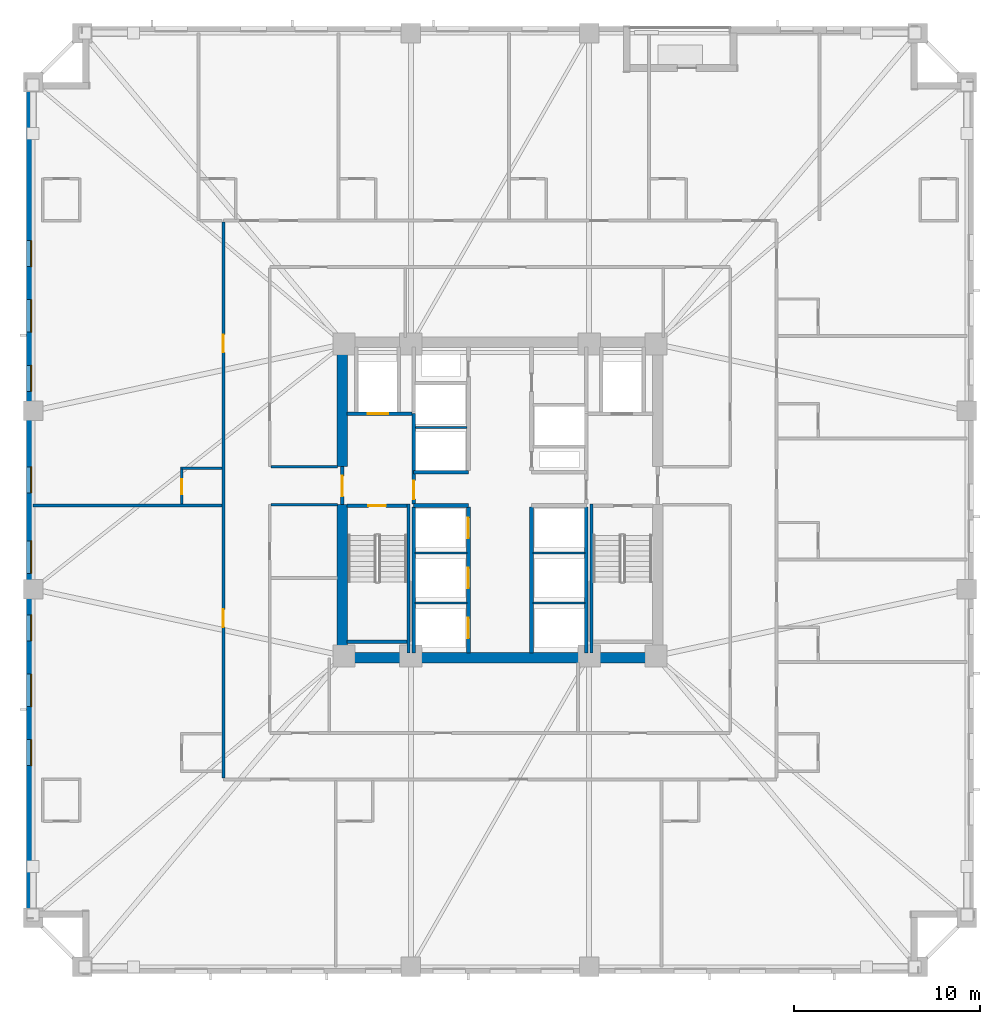
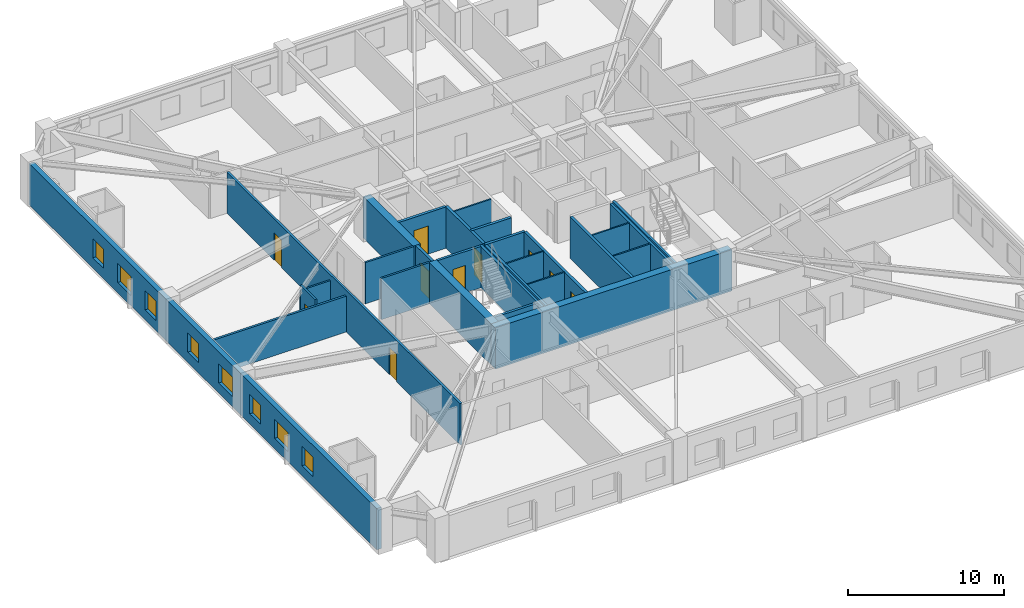
# One storey, part 3 of 11: 28 walls, 10 doors, 8 windows, 18 openings.
"""IFC4 building model written with IfcOpenShell, lengths in metres."""

from ifc_helpers import new_model, si_unit, direction, frame, frame_2d, origin, place, context, subcontext, project, spatial, rectangle, extrude, material, layer, layer_set, type_object, element, fill, save


model = new_model("IFC4")

# Units and contexts
model_context = context("Model", 3, precision=1e-05, world=origin(), true_north=direction((0.0, 1.0)))
body_context = subcontext(model_context, "Body", "Model", "MODEL_VIEW")
ifc_project = project(units=[si_unit("LENGTHUNIT", "METRE"), si_unit("AREAUNIT", "SQUARE_METRE"), si_unit("VOLUMEUNIT", "CUBIC_METRE"), si_unit("PLANEANGLEUNIT", "RADIAN"), si_unit("MASSUNIT", "GRAM", prefix="KILO")], contexts=[model_context])

# Site, building, storey
site_placement = place(None, origin())
site = spatial("IfcSite", under=ifc_project, at=site_placement, CompositionType="ELEMENT")
building_placement = place(site_placement, origin())
building = spatial("IfcBuilding", under=site, at=building_placement, Name="Cairnveth Concourse Tower", CompositionType="ELEMENT")
storey_placement = place(building_placement, frame((0.0, 0.0, 93.5)))
storey = spatial("IfcBuildingStorey", under=building, at=storey_placement, Name="L25", CompositionType="ELEMENT", Elevation=93.5)

# Wall, openings, doors
ifc_material_1 = material(Name="Gypsum Plasterboard Partition", Category="gypsum")
ifc_layer_1 = layer(ifc_material_1, 0.159912109375)
ifc_layer_set_1 = layer_set([ifc_layer_1], Name="Gypsum Plasterboard Partition")
wall_type_1 = type_object("IfcWallType", Name="ACOUSTIC PARTY WALL 180", PredefinedType="PARTITIONING", material=ifc_layer_set_1)
wall_1_placement = place(storey_placement, frame((37.10009765625, 24.014892578125, 0.0), z_axis=(0.0, 0.0, 1.0), x_axis=(0.0, 1.0, 0.0)))
wall_1 = element("IfcWall", 1, at=wall_1_placement, inside=storey, type_object=wall_type_1, Name="Interior Wall IW-L25-039", PredefinedType="PARTITIONING", context=body_context, shape_type="SweptSolid", body=[
    extrude(rectangle(XDim=29.97021484375, YDim=0.159912109375, at=frame_2d((14.985107421875, 0.0))), origin(), (0.0, 0.0, 1.0), 3.239990234375),
])
opening_1_placement = place(wall_1_placement, frame((8.1337890625, 0.0, 0.0)))
opening_1 = element("IfcOpeningElement", 2, at=opening_1_placement, cuts=wall_1, Name="Opening ID09", PredefinedType="OPENING", context=body_context, shape_type="SweptSolid", body=[
    extrude(rectangle(XDim=0.9599609375, YDim=2.14990234375, at=frame_2d((0.47998046875, 1.074951171875))), frame((0.0, 0.08984375, 0.0), z_axis=(0.0, -1.0, 0.0), x_axis=(1.0, 0.0, 0.0)), (0.0, 0.0, 1.0), 0.179931640625),
])
opening_2_placement = place(wall_1_placement, frame((22.933837890625, 0.0, 0.0)))
opening_2 = element("IfcOpeningElement", 3, at=opening_2_placement, cuts=wall_1, Name="Opening ID09", PredefinedType="OPENING", context=body_context, shape_type="SweptSolid", body=[
    extrude(rectangle(XDim=0.9599609375, YDim=2.14990234375, at=frame_2d((0.47998046875, 1.074951171875))), frame((0.0, 0.08984375, 0.0), z_axis=(0.0, -1.0, 0.0), x_axis=(1.0, 0.0, 0.0)), (0.0, 0.0, 1.0), 0.179931640625),
])
ifc_material_2 = material(Name="Solid Core Hardwood Timber Leaf", Category="wood")
door_type_1 = type_object("IfcDoorType", Name="HOTEL ENTRANCE DOOR 960X2150", OperationType="NOTDEFINED", PredefinedType="DOOR", material=ifc_material_2)
door_1_placement = place(opening_1_placement, origin())
door_1 = element("IfcDoor", 4, at=door_1_placement, inside=storey, type_object=door_type_1, Name="Hotel Room Door L25-W1", OperationType="SINGLE_SWING_LEFT", OverallHeight=2.14990234375, OverallWidth=0.9599609375, PredefinedType="DOOR", context=body_context, shape_type="SweptSolid", body=[
    extrude(rectangle(XDim=0.9599609375, YDim=2.14990234375, at=frame_2d((0.47998046875, 1.074951171875))), frame((0.0, 0.02490234375, 0.0), z_axis=(0.0, -1.0, 0.0), x_axis=(1.0, 0.0, 0.0)), (0.0, 0.0, 1.0), 0.050048828125),
])
fill(opening_1, door_1)
door_2_placement = place(opening_2_placement, origin())
door_2 = element("IfcDoor", 5, at=door_2_placement, inside=storey, type_object=door_type_1, Name="Hotel Room Door L25-W2", OperationType="SINGLE_SWING_LEFT", OverallHeight=2.14990234375, OverallWidth=0.9599609375, PredefinedType="DOOR", context=body_context, shape_type="SweptSolid", body=[
    extrude(rectangle(XDim=0.9599609375, YDim=2.14990234375, at=frame_2d((0.47998046875, 1.074951171875))), frame((0.0, 0.02490234375, 0.0), z_axis=(0.0, -1.0, 0.0), x_axis=(1.0, 0.0, 0.0)), (0.0, 0.0, 1.0), 0.050048828125),
])
fill(opening_2, door_2)

# Walls
wall_2_placement = place(storey_placement, frame((26.844970703125, 38.70751953125, 0.0), z_axis=(0.0, 0.0, 1.0), x_axis=(1.0, 0.0, 0.0)))
element("IfcWall", 6, at=wall_2_placement, inside=storey, type_object=wall_type_1, Name="Interior Wall IW-L25-091", PredefinedType="PARTITIONING", context=body_context, shape_type="SweptSolid", body=[
    extrude(rectangle(XDim=10.18994140625, YDim=0.159912109375, at=frame_2d((5.094970703125, 0.0))), origin(), (0.0, 0.0, 1.0), 2.80908203125),
])
ifc_material_3 = material(Name="Concrete N80 (80 MPa)", Category="concrete")
ifc_layer_2 = layer(ifc_material_3, 0.550048828125)
ifc_layer_set_2 = layer_set([ifc_layer_2], Name="Concrete N80 (80 MPa)")
wall_type_2 = type_object("IfcWallType", Name="CORE SHEAR WALL 550", PredefinedType="SHEAR", material=ifc_layer_set_2)
wall_3_placement = place(storey_placement, frame((43.22509765625, 30.5, 0.0), z_axis=(0.0, 0.0, 1.0), x_axis=(1.0, 0.0, 0.0)))
element("IfcWall", 7, at=wall_3_placement, inside=storey, type_object=wall_type_2, Name="Core South Shear Wall L25", PredefinedType="SHEAR", context=body_context, shape_type="SweptSolid", body=[
    extrude(rectangle(XDim=17.5498046875, YDim=0.550048828125, at=frame_2d((8.77490234375, 0.0))), origin(), (0.0, 0.0, 1.0), 3.239990234375),
])
wall_4_placement = place(storey_placement, frame((43.5, 30.764892578125, 0.0), z_axis=(0.0, 0.0, 1.0), x_axis=(0.0, 1.0, 0.0)))
element("IfcWall", 8, at=wall_4_placement, inside=storey, type_object=wall_type_2, Name="Core West Shear Wall S L25", PredefinedType="SHEAR", context=body_context, shape_type="SweptSolid", body=[
    extrude(rectangle(XDim=7.985107421875, YDim=0.550048828125, at=frame_2d((3.99267578125, 0.0))), origin(), (0.0, 0.0, 1.0), 3.239990234375),
])
wall_5_placement = place(storey_placement, frame((43.5, 40.800048828125, 0.0), z_axis=(0.0, 0.0, 1.0), x_axis=(0.0, 1.0, 0.0)))
element("IfcWall", 9, at=wall_5_placement, inside=storey, type_object=wall_type_2, Name="Core West Shear Wall N L25", PredefinedType="SHEAR", context=body_context, shape_type="SweptSolid", body=[
    extrude(rectangle(XDim=6.43505859375, YDim=0.550048828125, at=frame_2d((3.217529296875, 0.0))), origin(), (0.0, 0.0, 1.0), 3.239990234375),
])
ifc_material_4 = material(Name="Concrete N50 (50 MPa)", Category="concrete")
ifc_layer_3 = layer(ifc_material_4, 0.179931640625)
ifc_layer_set_3 = layer_set([ifc_layer_3], Name="Concrete N50 (50 MPa)")
wall_type_3 = type_object("IfcWallType", Name="FIRE SHAFT WALL 180", PredefinedType="SOLIDWALL", material=ifc_layer_set_3)
for number, where, z_axis, x_axis, name in (
    (10, (47.35009765625, 30.760009765625, 0.0), (0.0, 0.0, 1.0), (0.0, 1.0, 0.0), "Interior Wall IW-L25-025"),
    (11, (56.64990234375, 30.760009765625, 0.0), (0.0, 0.0, 1.0), (0.0, 1.0, 0.0), "Interior Wall IW-L25-028"),
):
    element("IfcWall", number, at=place(storey_placement, frame(where, z_axis=z_axis, x_axis=x_axis)), inside=storey, type_object=wall_type_3, Name=name, PredefinedType="SOLIDWALL", context=body_context, shape_type="SweptSolid", body=[
        extrude(rectangle(XDim=7.85498046875, YDim=0.179931640625, at=frame_2d((3.927490234375, 0.0))), origin(), (0.0, 0.0, 1.0), 3.239990234375),
    ])

# Wall, opening, door
wall_6_placement = place(storey_placement, frame((43.764892578125, 38.68994140625, 0.0), z_axis=(0.0, 0.0, 1.0), x_axis=(1.0, 0.0, 0.0)))
wall_6 = element("IfcWall", 12, at=wall_6_placement, inside=storey, type_object=wall_type_3, Name="Stair ST-1 Shaft Wall NEAR L25", PredefinedType="SOLIDWALL", context=body_context, shape_type="SweptSolid", body=[
    extrude(rectangle(XDim=3.230224609375, YDim=0.179931640625, at=frame_2d((1.615234375, 0.0))), origin(), (0.0, 0.0, 1.0), 3.239990234375),
])
opening_3_placement = place(wall_6_placement, frame((1.139892578125, 0.0, 0.0)))
opening_3 = element("IfcOpeningElement", 13, at=opening_3_placement, cuts=wall_6, Name="Opening ID12", PredefinedType="OPENING", context=body_context, shape_type="SweptSolid", body=[
    extrude(rectangle(XDim=0.949951171875, YDim=2.14990234375, at=frame_2d((0.47509765625, 1.074951171875))), frame((0.0, 0.099853515625, 0.0), z_axis=(0.0, -1.0, 0.0), x_axis=(1.0, 0.0, 0.0)), (0.0, 0.0, 1.0), 0.199951171875),
])
ifc_material_5 = material(Name="Steel Grade 350", Category="steel")
door_type_2 = type_object("IfcDoorType", Name="FIRE STAIR DOOR 950X2150", OperationType="NOTDEFINED", PredefinedType="DOOR", material=ifc_material_5)
door_3_placement = place(opening_3_placement, origin())
door_3 = element("IfcDoor", 14, at=door_3_placement, inside=storey, type_object=door_type_2, Name="Stair ST-1 Fire Door L25", OperationType="SINGLE_SWING_LEFT", OverallHeight=2.14990234375, OverallWidth=0.949951171875, PredefinedType="DOOR", context=body_context, shape_type="SweptSolid", body=[
    extrude(rectangle(XDim=0.949951171875, YDim=2.14990234375, at=frame_2d((0.47509765625, 1.074951171875))), frame((0.0, 0.02490234375, 0.0), z_axis=(0.0, -1.0, 0.0), x_axis=(1.0, 0.0, 0.0)), (0.0, 0.0, 1.0), 0.050048828125),
])
fill(opening_3, door_3)

# Walls
wall_7_placement = place(storey_placement, frame((43.764892578125, 31.360107421875, 0.0), z_axis=(0.0, 0.0, 1.0), x_axis=(1.0, 0.0, 0.0)))
element("IfcWall", 15, at=wall_7_placement, inside=storey, type_object=wall_type_3, Name="Stair ST-1 Shaft Wall FAR L25", PredefinedType="SOLIDWALL", context=body_context, shape_type="SweptSolid", body=[
    extrude(rectangle(XDim=3.230224609375, YDim=0.179931640625, at=frame_2d((1.615234375, 0.0))), origin(), (0.0, 0.0, 1.0), 3.239990234375),
])
for number, where, z_axis, x_axis, name in (
    (16, (47.070068359375, 38.780029296875, 0.0), (0.0, 0.0, 1.0), (0.0, -1.0, 0.0), "Stair ST-1 Shaft Wall RGHT L25"),
    (17, (56.929931640625, 38.780029296875, 0.0), (0.0, 0.0, 1.0), (0.0, -1.0, 0.0), "Stair ST-2 Shaft Wall LEFT L25"),
):
    element("IfcWall", number, at=place(storey_placement, frame(where, z_axis=z_axis, x_axis=x_axis)), inside=storey, type_object=wall_type_3, Name=name, PredefinedType="SOLIDWALL", context=body_context, shape_type="SweptSolid", body=[
        extrude(rectangle(XDim=8.01708984375, YDim=0.179931640625, at=frame_2d((4.008544921875, 0.0))), origin(), (0.0, 0.0, 1.0), 3.239990234375),
    ])
ifc_layer_4 = layer(ifc_material_4, 0.199951171875)
ifc_layer_set_4 = layer_set([ifc_layer_4], Name="Concrete N50 (50 MPa)")
wall_type_4 = type_object("IfcWallType", Name="FIRE SHAFT WALL 200", PredefinedType="SOLIDWALL", material=ifc_layer_set_4)
for number, where, z_axis, x_axis, name in (
    (18, (47.35009765625, 38.699951171875, 0.0), (0.0, 0.0, 1.0), (1.0, 0.0, 0.0), "Interior Wall IW-L25-007"),
    (19, (47.35009765625, 40.5, 0.0), (0.0, 0.0, 1.0), (1.0, 0.0, 0.0), "Interior Wall IW-L25-008"),
):
    element("IfcWall", number, at=place(storey_placement, frame(where, z_axis=z_axis, x_axis=x_axis)), inside=storey, type_object=wall_type_4, Name=name, PredefinedType="SOLIDWALL", context=body_context, shape_type="SweptSolid", body=[
        extrude(rectangle(XDim=2.949951171875, YDim=0.199951171875, at=frame_2d((1.47509765625, 0.0))), origin(), (0.0, 0.0, 1.0), 3.239990234375),
    ])

# Wall, openings, doors
wall_8_placement = place(storey_placement, frame((50.300048828125, 30.760009765625, 0.0), z_axis=(0.0, 0.0, 1.0), x_axis=(0.0, 1.0, 0.0)))
wall_8 = element("IfcWall", 20, at=wall_8_placement, inside=storey, type_object=wall_type_4, Name="Interior Wall IW-L25-011", PredefinedType="SOLIDWALL", context=body_context, shape_type="SweptSolid", body=[
    extrude(rectangle(XDim=7.85498046875, YDim=0.199951171875, at=frame_2d((3.927490234375, 0.0))), origin(), (0.0, 0.0, 1.0), 3.239990234375),
])
opening_4_placement = place(wall_8_placement, frame((0.7900390625, 0.0, 0.0)))
opening_4 = element("IfcOpeningElement", 21, at=opening_4_placement, cuts=wall_8, Name="Opening LD-1", PredefinedType="OPENING", context=body_context, shape_type="SweptSolid", body=[
    extrude(rectangle(XDim=1.10009765625, YDim=2.199951171875, at=frame_2d((0.550048828125, 1.10009765625))), frame((0.0, 0.10986328125, 0.0), z_axis=(0.0, -1.0, 0.0), x_axis=(1.0, 0.0, 0.0)), (0.0, 0.0, 1.0), 0.219970703125),
])
opening_5_placement = place(wall_8_placement, frame((3.489990234375, 0.0, 0.0)))
opening_5 = element("IfcOpeningElement", 22, at=opening_5_placement, cuts=wall_8, Name="Opening LD-1", PredefinedType="OPENING", context=body_context, shape_type="SweptSolid", body=[
    extrude(rectangle(XDim=1.10009765625, YDim=2.199951171875, at=frame_2d((0.550048828125, 1.10009765625))), frame((0.0, 0.10986328125, 0.0), z_axis=(0.0, -1.0, 0.0), x_axis=(1.0, 0.0, 0.0)), (0.0, 0.0, 1.0), 0.219970703125),
])
opening_6_placement = place(wall_8_placement, frame((6.18994140625, 0.0, 0.0)))
opening_6 = element("IfcOpeningElement", 23, at=opening_6_placement, cuts=wall_8, Name="Opening LD-1", PredefinedType="OPENING", context=body_context, shape_type="SweptSolid", body=[
    extrude(rectangle(XDim=1.10009765625, YDim=2.199951171875, at=frame_2d((0.550048828125, 1.10009765625))), frame((0.0, 0.10986328125, 0.0), z_axis=(0.0, -1.0, 0.0), x_axis=(1.0, 0.0, 0.0)), (0.0, 0.0, 1.0), 0.219970703125),
])
ifc_material_6 = material(Name="Architectural Bronze Anodised Aluminium 6063-T6", Category="aluminium")
door_type_3 = type_object("IfcDoorType", Name="LIFT LANDING DOOR 1100X2200", OperationType="SLIDING_TO_LEFT", PredefinedType="DOOR", material=ifc_material_6)
door_4_placement = place(opening_4_placement, origin())
door_4 = element("IfcDoor", 24, at=door_4_placement, inside=storey, type_object=door_type_3, Name="Lift PL1 Landing Door L25", OperationType="SLIDING_TO_LEFT", OverallHeight=2.199951171875, OverallWidth=1.10009765625, PredefinedType="DOOR", context=body_context, shape_type="SweptSolid", body=[
    extrude(rectangle(XDim=1.10009765625, YDim=2.199951171875, at=frame_2d((0.550048828125, 1.10009765625))), frame((0.0, 0.02490234375, 0.0), z_axis=(0.0, -1.0, 0.0), x_axis=(1.0, 0.0, 0.0)), (0.0, 0.0, 1.0), 0.050048828125),
])
fill(opening_4, door_4)
door_5_placement = place(opening_5_placement, origin())
door_5 = element("IfcDoor", 25, at=door_5_placement, inside=storey, type_object=door_type_3, Name="Lift PL2 Landing Door L25", OperationType="SLIDING_TO_LEFT", OverallHeight=2.199951171875, OverallWidth=1.10009765625, PredefinedType="DOOR", context=body_context, shape_type="SweptSolid", body=[
    extrude(rectangle(XDim=1.10009765625, YDim=2.199951171875, at=frame_2d((0.550048828125, 1.10009765625))), frame((0.0, 0.02490234375, 0.0), z_axis=(0.0, -1.0, 0.0), x_axis=(1.0, 0.0, 0.0)), (0.0, 0.0, 1.0), 0.050048828125),
])
fill(opening_5, door_5)
door_6_placement = place(opening_6_placement, origin())
door_6 = element("IfcDoor", 26, at=door_6_placement, inside=storey, type_object=door_type_3, Name="Lift PL3 Landing Door L25", OperationType="SLIDING_TO_LEFT", OverallHeight=2.199951171875, OverallWidth=1.10009765625, PredefinedType="DOOR", context=body_context, shape_type="SweptSolid", body=[
    extrude(rectangle(XDim=1.10009765625, YDim=2.199951171875, at=frame_2d((0.550048828125, 1.10009765625))), frame((0.0, 0.02490234375, 0.0), z_axis=(0.0, -1.0, 0.0), x_axis=(1.0, 0.0, 0.0)), (0.0, 0.0, 1.0), 0.050048828125),
])
fill(opening_6, door_6)

# Wall
wall_9_placement = place(storey_placement, frame((53.699951171875, 30.760009765625, 0.0), z_axis=(0.0, 0.0, 1.0), x_axis=(0.0, 1.0, 0.0)))
element("IfcWall", 27, at=wall_9_placement, inside=storey, type_object=wall_type_4, Name="Interior Wall IW-L25-012", PredefinedType="SOLIDWALL", context=body_context, shape_type="SweptSolid", body=[
    extrude(rectangle(XDim=7.85498046875, YDim=0.199951171875, at=frame_2d((3.927490234375, 0.0))), origin(), (0.0, 0.0, 1.0), 3.239990234375),
])

# Wall, opening, door
wall_10_placement = place(storey_placement, frame((43.5, 38.75, 0.0), z_axis=(0.0, 0.0, 1.0), x_axis=(0.0, 1.0, 0.0)))
wall_10 = element("IfcWall", 28, at=wall_10_placement, inside=storey, type_object=wall_type_4, Name="Interior Wall IW-L25-015", PredefinedType="SOLIDWALL", context=body_context, shape_type="SweptSolid", body=[
    extrude(rectangle(XDim=2.050048828125, YDim=0.199951171875, at=frame_2d((1.02490234375, 0.0))), origin(), (0.0, 0.0, 1.0), 3.239990234375),
])
opening_7_placement = place(wall_10_placement, frame((0.449951171875, 0.0, 0.0)))
opening_7 = element("IfcOpeningElement", 29, at=opening_7_placement, cuts=wall_10, Name="Opening ID06", PredefinedType="OPENING", context=body_context, shape_type="SweptSolid", body=[
    extrude(rectangle(XDim=1.10009765625, YDim=2.14990234375, at=frame_2d((0.550048828125, 1.074951171875))), frame((0.0, 0.10986328125, 0.0), z_axis=(0.0, -1.0, 0.0), x_axis=(1.0, 0.0, 0.0)), (0.0, 0.0, 1.0), 0.219970703125),
])
door_type_4 = type_object("IfcDoorType", Name="FIRE CORRIDOR DOOR 1100X2150", OperationType="NOTDEFINED", PredefinedType="DOOR", material=ifc_material_5)
door_7_placement = place(opening_7_placement, origin())
door_7 = element("IfcDoor", 30, at=door_7_placement, inside=storey, type_object=door_type_4, Name="West Wing to FF Lobby Door L25", OperationType="SINGLE_SWING_LEFT", OverallHeight=2.14990234375, OverallWidth=1.10009765625, PredefinedType="DOOR", context=body_context, shape_type="SweptSolid", body=[
    extrude(rectangle(XDim=1.10009765625, YDim=2.14990234375, at=frame_2d((0.550048828125, 1.074951171875))), frame((0.0, 0.02490234375, 0.0), z_axis=(0.0, -1.0, 0.0), x_axis=(1.0, 0.0, 0.0)), (0.0, 0.0, 1.0), 0.050048828125),
])
fill(opening_7, door_7)

wall_11_placement = place(storey_placement, frame((47.35009765625, 38.784912109375, 0.0), z_axis=(0.0, 0.0, 1.0), x_axis=(0.0, 1.0, 0.0)))
wall_11 = element("IfcWall", 31, at=wall_11_placement, inside=storey, type_object=wall_type_4, Name="Interior Wall IW-L25-016", PredefinedType="SOLIDWALL", context=body_context, shape_type="SweptSolid", body=[
    extrude(rectangle(XDim=4.864990234375, YDim=0.199951171875, at=frame_2d((2.4326171875, 0.0))), origin(), (0.0, 0.0, 1.0), 3.239990234375),
])
opening_8_placement = place(wall_11_placement, frame((0.264892578125, 0.0, 0.0)))
opening_8 = element("IfcOpeningElement", 32, at=opening_8_placement, cuts=wall_11, Name="Opening ID07", PredefinedType="OPENING", context=body_context, shape_type="SweptSolid", body=[
    extrude(rectangle(XDim=1.0, YDim=2.14990234375, at=frame_2d((0.5, 1.074951171875))), frame((0.0, 0.10986328125, 0.0), z_axis=(0.0, -1.0, 0.0), x_axis=(1.0, 0.0, 0.0)), (0.0, 0.0, 1.0), 0.219970703125),
])
door_type_5 = type_object("IfcDoorType", Name="FIRE CORRIDOR DOOR 1000X2150", OperationType="NOTDEFINED", PredefinedType="DOOR", material=ifc_material_5)
door_8_placement = place(opening_8_placement, origin())
door_8 = element("IfcDoor", 33, at=door_8_placement, inside=storey, type_object=door_type_5, Name="FF Lobby West to Lift Lobby Door L25", OperationType="SINGLE_SWING_RIGHT", OverallHeight=2.14990234375, OverallWidth=1.0, PredefinedType="DOOR", context=body_context, shape_type="SweptSolid", body=[
    extrude(rectangle(XDim=1.0, YDim=2.14990234375, at=frame_2d((0.5, 1.074951171875))), frame((0.0, 0.02490234375, 0.0), z_axis=(0.0, -1.0, 0.0), x_axis=(1.0, 0.0, 0.0)), (0.0, 0.0, 1.0), 0.050048828125),
])
fill(opening_8, door_8)

wall_12_placement = place(storey_placement, frame((43.760009765625, 43.64990234375, 0.0), z_axis=(0.0, 0.0, 1.0), x_axis=(1.0, 0.0, 0.0)))
wall_12 = element("IfcWall", 34, at=wall_12_placement, inside=storey, type_object=wall_type_4, Name="Interior Wall IW-L25-017", PredefinedType="SOLIDWALL", context=body_context, shape_type="SweptSolid", body=[
    extrude(rectangle(XDim=3.5048828125, YDim=0.199951171875, at=frame_2d((1.75244140625, 0.0))), origin(), (0.0, 0.0, 1.0), 3.239990234375),
])
opening_9_placement = place(wall_12_placement, frame((1.110107421875, 0.0, 0.0)))
opening_9 = element("IfcOpeningElement", 35, at=opening_9_placement, cuts=wall_12, Name="Opening LD-1", PredefinedType="OPENING", context=body_context, shape_type="SweptSolid", body=[
    extrude(rectangle(XDim=1.10009765625, YDim=2.199951171875, at=frame_2d((0.550048828125, 1.10009765625))), frame((0.0, 0.10986328125, 0.0), z_axis=(0.0, -1.0, 0.0), x_axis=(1.0, 0.0, 0.0)), (0.0, 0.0, 1.0), 0.219970703125),
])
door_9_placement = place(opening_9_placement, origin())
door_9 = element("IfcDoor", 36, at=door_9_placement, inside=storey, type_object=door_type_3, Name="Lift FFL1 Landing Door L25", OperationType="SLIDING_TO_LEFT", OverallHeight=2.199951171875, OverallWidth=1.10009765625, PredefinedType="DOOR", context=body_context, shape_type="SweptSolid", body=[
    extrude(rectangle(XDim=1.10009765625, YDim=2.199951171875, at=frame_2d((0.550048828125, 1.10009765625))), frame((0.0, 0.02490234375, 0.0), z_axis=(0.0, -1.0, 0.0), x_axis=(1.0, 0.0, 0.0)), (0.0, 0.0, 1.0), 0.050048828125),
])
fill(opening_9, door_9)

# Walls
ifc_layer_5 = layer(ifc_material_1, 0.139892578125)
ifc_layer_set_5 = layer_set([ifc_layer_5], Name="Gypsum Plasterboard Partition")
wall_type_5 = type_object("IfcWallType", Name="GYPSUM STUD PARTITION 140", PredefinedType="PARTITIONING", material=ifc_layer_set_5)
for number, where, z_axis, x_axis, name in (
    (37, (39.655029296875, 38.75, 0.0), (0.0, 0.0, 1.0), (1.0, 0.0, 0.0), "Interior Wall IW-L25-045"),
    (38, (39.655029296875, 40.800048828125, 0.0), (0.0, 0.0, 1.0), (1.0, 0.0, 0.0), "Interior Wall IW-L25-046"),
):
    element("IfcWall", number, at=place(storey_placement, frame(where, z_axis=z_axis, x_axis=x_axis)), inside=storey, type_object=wall_type_5, Name=name, PredefinedType="PARTITIONING", context=body_context, shape_type="SweptSolid", body=[
        extrude(rectangle(XDim=3.5849609375, YDim=0.139892578125, at=frame_2d((1.79248046875, 0.0))), origin(), (0.0, 0.0, 1.0), 3.239990234375),
    ])
ifc_layer_6 = layer(ifc_material_1, 0.110107421875)
ifc_layer_set_6 = layer_set([ifc_layer_6], Name="Gypsum Plasterboard Partition")
wall_type_6 = type_object("IfcWallType", Name="SHAFT DIVIDER WALL 140", PredefinedType="PARTITIONING", material=ifc_layer_set_6)
for number, where, z_axis, x_axis, name in (
    (39, (47.425048828125, 33.449951171875, 0.0), (0.0, 0.0, 1.0), (1.0, 0.0, 0.0), "Interior Wall IW-L25-026"),
    (40, (47.425048828125, 36.14990234375, 0.0), (0.0, 0.0, 1.0), (1.0, 0.0, 0.0), "Interior Wall IW-L25-027"),
    (41, (53.784912109375, 33.449951171875, 0.0), (0.0, 0.0, 1.0), (1.0, 0.0, 0.0), "Interior Wall IW-L25-029"),
    (42, (53.784912109375, 36.14990234375, 0.0), (0.0, 0.0, 1.0), (1.0, 0.0, 0.0), "Interior Wall IW-L25-030"),
):
    element("IfcWall", number, at=place(storey_placement, frame(where, z_axis=z_axis, x_axis=x_axis)), inside=storey, type_object=wall_type_6, Name=name, PredefinedType="PARTITIONING", context=body_context, shape_type="SweptSolid", body=[
        extrude(rectangle(XDim=2.7900390625, YDim=0.110107421875, at=frame_2d((1.39501953125, 0.0))), origin(), (0.0, 0.0, 1.0), 3.239990234375),
    ])
wall_13_placement = place(storey_placement, frame((47.43505859375, 42.89990234375, 0.0), z_axis=(0.0, 0.0, 1.0), x_axis=(1.0, 0.0, 0.0)))
element("IfcWall", 43, at=wall_13_placement, inside=storey, type_object=wall_type_6, Name="Interior Wall IW-L25-032", PredefinedType="PARTITIONING", context=body_context, shape_type="SweptSolid", body=[
    extrude(rectangle(XDim=2.780029296875, YDim=0.110107421875, at=frame_2d((1.39013671875, 0.0))), origin(), (0.0, 0.0, 1.0), 3.239990234375),
])
ifc_layer_7 = layer(ifc_material_1, 0.1298828125)
ifc_layer_set_7 = layer_set([ifc_layer_7], Name="Gypsum Plasterboard Partition")
wall_type_7 = type_object("IfcWallType", Name="WET AREA PARTITION 140", PredefinedType="PLUMBINGWALL", material=ifc_layer_set_7)
wall_14_placement = place(storey_placement, frame((34.800048828125, 40.70751953125, 0.0), z_axis=(0.0, 0.0, 1.0), x_axis=(1.0, 0.0, 0.0)))
element("IfcWall", 44, at=wall_14_placement, inside=storey, type_object=wall_type_7, Name="Interior Wall IW-L25-092", PredefinedType="PLUMBINGWALL", context=body_context, shape_type="SweptSolid", body=[
    extrude(rectangle(XDim=2.23486328125, YDim=0.1298828125, at=frame_2d((1.117431640625, 0.0))), origin(), (0.0, 0.0, 1.0), 2.80908203125),
])

# Wall, opening, door
wall_15_placement = place(storey_placement, frame((34.85009765625, 38.7724609375, 0.0), z_axis=(0.0, 0.0, 1.0), x_axis=(0.0, 1.0, 0.0)))
wall_15 = element("IfcWall", 45, at=wall_15_placement, inside=storey, type_object=wall_type_7, Name="Interior Wall IW-L25-093", PredefinedType="PLUMBINGWALL", context=body_context, shape_type="SweptSolid", body=[
    extrude(rectangle(XDim=1.885009765625, YDim=0.1298828125, at=frame_2d((0.9423828125, 0.0))), origin(), (0.0, 0.0, 1.0), 3.239990234375),
])
opening_10_placement = place(wall_15_placement, frame((0.52490234375, 0.0, 0.0)))
opening_10 = element("IfcOpeningElement", 46, at=opening_10_placement, cuts=wall_15, Name="Opening ID22", PredefinedType="OPENING", context=body_context, shape_type="SweptSolid", body=[
    extrude(rectangle(XDim=0.820068359375, YDim=2.10009765625, at=frame_2d((0.41015625, 1.050048828125))), frame((0.0, 0.074951171875, 0.0), z_axis=(0.0, -1.0, 0.0), x_axis=(1.0, 0.0, 0.0)), (0.0, 0.0, 1.0), 0.14990234375),
])
door_type_6 = type_object("IfcDoorType", Name="INTERIOR WC DOOR 820X2100", OperationType="NOTDEFINED", PredefinedType="DOOR", material=ifc_material_2)
door_10_placement = place(opening_10_placement, origin())
door_10 = element("IfcDoor", 47, at=door_10_placement, inside=storey, type_object=door_type_6, Name="En-Suite Door L25-W2", OperationType="SINGLE_SWING_RIGHT", OverallHeight=2.10009765625, OverallWidth=0.820068359375, PredefinedType="DOOR", context=body_context, shape_type="SweptSolid", body=[
    extrude(rectangle(XDim=0.820068359375, YDim=2.10009765625, at=frame_2d((0.41015625, 1.050048828125))), frame((0.0, 0.02490234375, 0.0), z_axis=(0.0, -1.0, 0.0), x_axis=(1.0, 0.0, 0.0)), (0.0, 0.0, 1.0), 0.050048828125),
])
fill(opening_10, door_10)

# Wall, openings, windows
ifc_material_7 = material(Name="Hawthorn Red-Ochre Fired Clay Brick Masonry", Category="masonry")
ifc_layer_8 = layer(ifc_material_7, 0.360107421875)
ifc_layer_set_8 = layer_set([ifc_layer_8], Name="Hawthorn Red-Ochre Fired Clay Brick Masonry")
wall_type_8 = type_object("IfcWallType", Name="ZONE 1 BRICK PIER SPANDREL WALL 360", PredefinedType="SOLIDWALL", material=ifc_layer_set_8)
wall_16_placement = place(storey_placement, frame((26.679931640625, 16.5, 0.0), z_axis=(0.0, 0.0, 1.0), x_axis=(0.0, 1.0, 0.0)))
wall_16 = element("IfcWall", 48, at=wall_16_placement, inside=storey, type_object=wall_type_8, Name="Exterior Wall EW-L25-S09", PredefinedType="SOLIDWALL", context=body_context, shape_type="SweptSolid", body=[
    extrude(rectangle(XDim=44.662109375, YDim=0.360107421875, at=frame_2d((22.3310546875, 0.0))), origin(), (0.0, 0.0, 1.0), 3.239990234375),
])
opening_11_placement = place(wall_16_placement, frame((8.190185546875, 0.0, 0.800048828125)))
opening_11 = element("IfcOpeningElement", 49, at=opening_11_placement, cuts=wall_16, Name="Opening W05", PredefinedType="OPENING", context=body_context, shape_type="SweptSolid", body=[
    extrude(rectangle(XDim=1.39990234375, YDim=1.50390625, at=frame_2d((0.699951171875, 0.751953125))), frame((0.0, 0.18994140625, 0.0), z_axis=(0.0, -1.0, 0.0), x_axis=(1.0, 0.0, 0.0)), (0.0, 0.0, 1.0), 0.380126953125),
])
opening_12_placement = place(wall_16_placement, frame((11.37548828125, 0.0, 0.800048828125)))
opening_12 = element("IfcOpeningElement", 50, at=opening_12_placement, cuts=wall_16, Name="Opening W06", PredefinedType="OPENING", context=body_context, shape_type="SweptSolid", body=[
    extrude(rectangle(XDim=1.75, YDim=1.50390625, at=frame_2d((0.875, 0.751953125))), frame((0.0, 0.18994140625, 0.0), z_axis=(0.0, -1.0, 0.0), x_axis=(1.0, 0.0, 0.0)), (0.0, 0.0, 1.0), 0.380126953125),
])
opening_13_placement = place(wall_16_placement, frame((14.91064453125, 0.0, 0.800048828125)))
opening_13 = element("IfcOpeningElement", 51, at=opening_13_placement, cuts=wall_16, Name="Opening W05", PredefinedType="OPENING", context=body_context, shape_type="SweptSolid", body=[
    extrude(rectangle(XDim=1.39990234375, YDim=1.50390625, at=frame_2d((0.699951171875, 0.751953125))), frame((0.0, 0.18994140625, 0.0), z_axis=(0.0, -1.0, 0.0), x_axis=(1.0, 0.0, 0.0)), (0.0, 0.0, 1.0), 0.380126953125),
])
opening_14_placement = place(wall_16_placement, frame((18.5458984375, 0.0, 0.800048828125)))
opening_14 = element("IfcOpeningElement", 52, at=opening_14_placement, cuts=wall_16, Name="Opening W06", PredefinedType="OPENING", context=body_context, shape_type="SweptSolid", body=[
    extrude(rectangle(XDim=1.75, YDim=1.50390625, at=frame_2d((0.875, 0.751953125))), frame((0.0, 0.18994140625, 0.0), z_axis=(0.0, -1.0, 0.0), x_axis=(1.0, 0.0, 0.0)), (0.0, 0.0, 1.0), 0.380126953125),
])
opening_15_placement = place(wall_16_placement, frame((22.881103515625, 0.0, 0.800048828125)))
opening_15 = element("IfcOpeningElement", 53, at=opening_15_placement, cuts=wall_16, Name="Opening W05", PredefinedType="OPENING", context=body_context, shape_type="SweptSolid", body=[
    extrude(rectangle(XDim=1.39990234375, YDim=1.50390625, at=frame_2d((0.699951171875, 0.751953125))), frame((0.0, 0.18994140625, 0.0), z_axis=(0.0, -1.0, 0.0), x_axis=(1.0, 0.0, 0.0)), (0.0, 0.0, 1.0), 0.380126953125),
])
opening_16_placement = place(wall_16_placement, frame((28.351318359375, 0.0, 0.800048828125)))
opening_16 = element("IfcOpeningElement", 54, at=opening_16_placement, cuts=wall_16, Name="Opening W05", PredefinedType="OPENING", context=body_context, shape_type="SweptSolid", body=[
    extrude(rectangle(XDim=1.39990234375, YDim=1.50390625, at=frame_2d((0.699951171875, 0.751953125))), frame((0.0, 0.18994140625, 0.0), z_axis=(0.0, -1.0, 0.0), x_axis=(1.0, 0.0, 0.0)), (0.0, 0.0, 1.0), 0.380126953125),
])
opening_17_placement = place(wall_16_placement, frame((31.53662109375, 0.0, 0.800048828125)))
opening_17 = element("IfcOpeningElement", 55, at=opening_17_placement, cuts=wall_16, Name="Opening W06", PredefinedType="OPENING", context=body_context, shape_type="SweptSolid", body=[
    extrude(rectangle(XDim=1.75, YDim=1.50390625, at=frame_2d((0.875, 0.751953125))), frame((0.0, 0.18994140625, 0.0), z_axis=(0.0, -1.0, 0.0), x_axis=(1.0, 0.0, 0.0)), (0.0, 0.0, 1.0), 0.380126953125),
])
opening_18_placement = place(wall_16_placement, frame((35.07177734375, 0.0, 0.800048828125)))
opening_18 = element("IfcOpeningElement", 56, at=opening_18_placement, cuts=wall_16, Name="Opening W05", PredefinedType="OPENING", context=body_context, shape_type="SweptSolid", body=[
    extrude(rectangle(XDim=1.39990234375, YDim=1.50390625, at=frame_2d((0.699951171875, 0.751953125))), frame((0.0, 0.18994140625, 0.0), z_axis=(0.0, -1.0, 0.0), x_axis=(1.0, 0.0, 0.0)), (0.0, 0.0, 1.0), 0.380126953125),
])
ifc_material_8 = material(Name="Double Glazed Low-E Clear Glass", Category="glass")
window_type_1 = type_object("IfcWindowType", Name="DEEP-SET HOTEL CASEMENT WINDOW 1400X1750", PartitioningType="DOUBLE_PANEL_VERTICAL", PredefinedType="WINDOW", material=ifc_material_8)
window_1_placement = place(opening_11_placement, origin())
window_1 = element("IfcWindow", 57, at=window_1_placement, inside=storey, type_object=window_type_1, Name="Gothic Lancet Window L25-9-2", OverallHeight=1.50390625, OverallWidth=1.39990234375, PartitioningType="SINGLE_PANEL", PredefinedType="WINDOW", context=body_context, shape_type="SweptSolid", body=[
    extrude(rectangle(XDim=1.39990234375, YDim=1.50390625, at=frame_2d((0.699951171875, 0.751953125))), frame((0.0, -0.050048828125, 0.0), z_axis=(0.0, -1.0, 0.0), x_axis=(1.0, 0.0, 0.0)), (0.0, 0.0, 1.0), 0.06005859375),
])
fill(opening_11, window_1)
window_2_placement = place(opening_13_placement, origin())
window_2 = element("IfcWindow", 58, at=window_2_placement, inside=storey, type_object=window_type_1, Name="Gothic Lancet Window L25-9-4", OverallHeight=1.50390625, OverallWidth=1.39990234375, PartitioningType="SINGLE_PANEL", PredefinedType="WINDOW", context=body_context, shape_type="SweptSolid", body=[
    extrude(rectangle(XDim=1.39990234375, YDim=1.50390625, at=frame_2d((0.699951171875, 0.751953125))), frame((0.0, -0.050048828125, 0.0), z_axis=(0.0, -1.0, 0.0), x_axis=(1.0, 0.0, 0.0)), (0.0, 0.0, 1.0), 0.06005859375),
])
fill(opening_13, window_2)
window_3_placement = place(opening_15_placement, origin())
window_3 = element("IfcWindow", 59, at=window_3_placement, inside=storey, type_object=window_type_1, Name="Gothic Lancet Window L25-9-6", OverallHeight=1.50390625, OverallWidth=1.39990234375, PartitioningType="SINGLE_PANEL", PredefinedType="WINDOW", context=body_context, shape_type="SweptSolid", body=[
    extrude(rectangle(XDim=1.39990234375, YDim=1.50390625, at=frame_2d((0.699951171875, 0.751953125))), frame((0.0, -0.050048828125, 0.0), z_axis=(0.0, -1.0, 0.0), x_axis=(1.0, 0.0, 0.0)), (0.0, 0.0, 1.0), 0.06005859375),
])
fill(opening_15, window_3)
window_4_placement = place(opening_16_placement, origin())
window_4 = element("IfcWindow", 60, at=window_4_placement, inside=storey, type_object=window_type_1, Name="Gothic Lancet Window L25-9-8", OverallHeight=1.50390625, OverallWidth=1.39990234375, PartitioningType="SINGLE_PANEL", PredefinedType="WINDOW", context=body_context, shape_type="SweptSolid", body=[
    extrude(rectangle(XDim=1.39990234375, YDim=1.50390625, at=frame_2d((0.699951171875, 0.751953125))), frame((0.0, -0.050048828125, 0.0), z_axis=(0.0, -1.0, 0.0), x_axis=(1.0, 0.0, 0.0)), (0.0, 0.0, 1.0), 0.06005859375),
])
fill(opening_16, window_4)
window_5_placement = place(opening_18_placement, origin())
window_5 = element("IfcWindow", 61, at=window_5_placement, inside=storey, type_object=window_type_1, Name="Gothic Lancet Window L25-9-10", OverallHeight=1.50390625, OverallWidth=1.39990234375, PartitioningType="SINGLE_PANEL", PredefinedType="WINDOW", context=body_context, shape_type="SweptSolid", body=[
    extrude(rectangle(XDim=1.39990234375, YDim=1.50390625, at=frame_2d((0.699951171875, 0.751953125))), frame((0.0, -0.050048828125, 0.0), z_axis=(0.0, -1.0, 0.0), x_axis=(1.0, 0.0, 0.0)), (0.0, 0.0, 1.0), 0.06005859375),
])
fill(opening_18, window_5)
window_type_2 = type_object("IfcWindowType", Name="DEEP-SET HOTEL SUITE WINDOW 1750X1800", PartitioningType="DOUBLE_PANEL_VERTICAL", PredefinedType="WINDOW", material=ifc_material_8)
window_6_placement = place(opening_12_placement, origin())
window_6 = element("IfcWindow", 62, at=window_6_placement, inside=storey, type_object=window_type_2, Name="Gothic Lancet Window L25-9-3", OverallHeight=1.50390625, OverallWidth=1.75, PartitioningType="SINGLE_PANEL", PredefinedType="WINDOW", context=body_context, shape_type="SweptSolid", body=[
    extrude(rectangle(XDim=1.75, YDim=1.50390625, at=frame_2d((0.875, 0.751953125))), frame((0.0, -0.050048828125, 0.0), z_axis=(0.0, -1.0, 0.0), x_axis=(1.0, 0.0, 0.0)), (0.0, 0.0, 1.0), 0.06005859375),
])
fill(opening_12, window_6)
window_7_placement = place(opening_14_placement, origin())
window_7 = element("IfcWindow", 63, at=window_7_placement, inside=storey, type_object=window_type_2, Name="Gothic Lancet Window L25-9-5", OverallHeight=1.50390625, OverallWidth=1.75, PartitioningType="SINGLE_PANEL", PredefinedType="WINDOW", context=body_context, shape_type="SweptSolid", body=[
    extrude(rectangle(XDim=1.75, YDim=1.50390625, at=frame_2d((0.875, 0.751953125))), frame((0.0, -0.050048828125, 0.0), z_axis=(0.0, -1.0, 0.0), x_axis=(1.0, 0.0, 0.0)), (0.0, 0.0, 1.0), 0.06005859375),
])
fill(opening_14, window_7)
window_8_placement = place(opening_17_placement, origin())
window_8 = element("IfcWindow", 64, at=window_8_placement, inside=storey, type_object=window_type_2, Name="Gothic Lancet Window L25-9-9", OverallHeight=1.50390625, OverallWidth=1.75, PartitioningType="SINGLE_PANEL", PredefinedType="WINDOW", context=body_context, shape_type="SweptSolid", body=[
    extrude(rectangle(XDim=1.75, YDim=1.50390625, at=frame_2d((0.875, 0.751953125))), frame((0.0, -0.050048828125, 0.0), z_axis=(0.0, -1.0, 0.0), x_axis=(1.0, 0.0, 0.0)), (0.0, 0.0, 1.0), 0.06005859375),
])
fill(opening_17, window_8)

save(model, "model.ifc")
